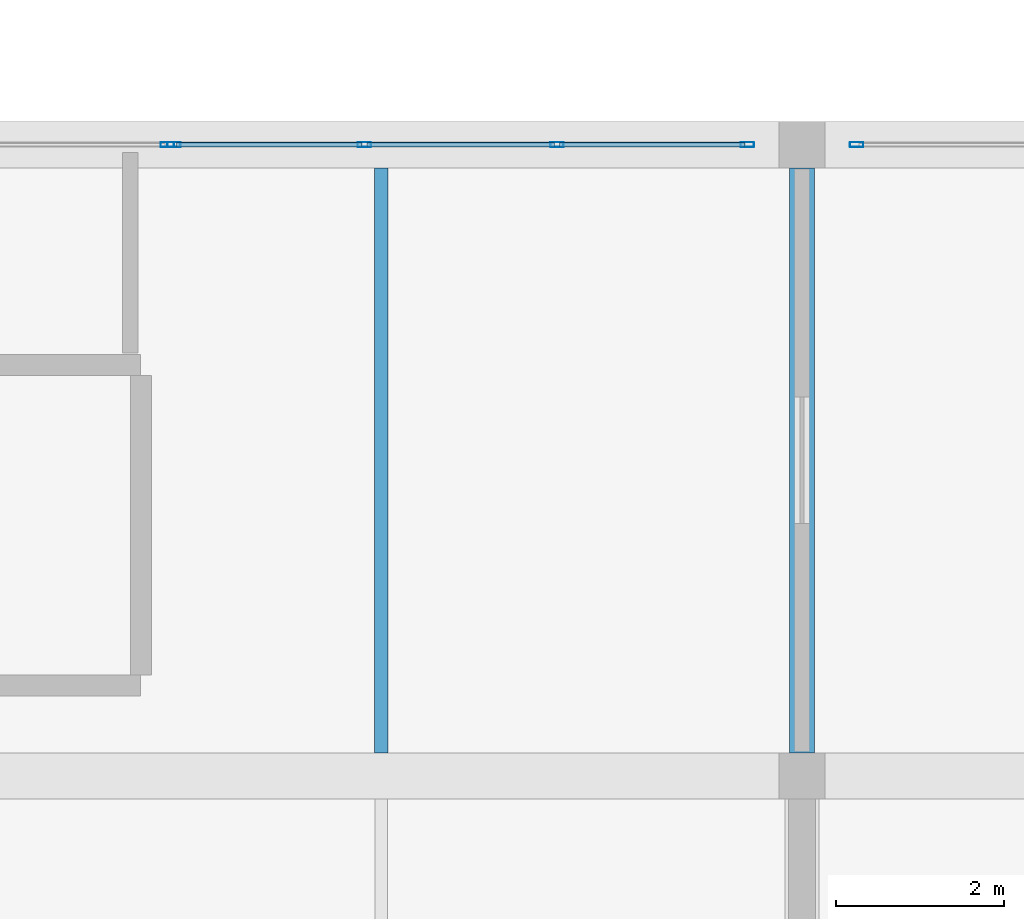
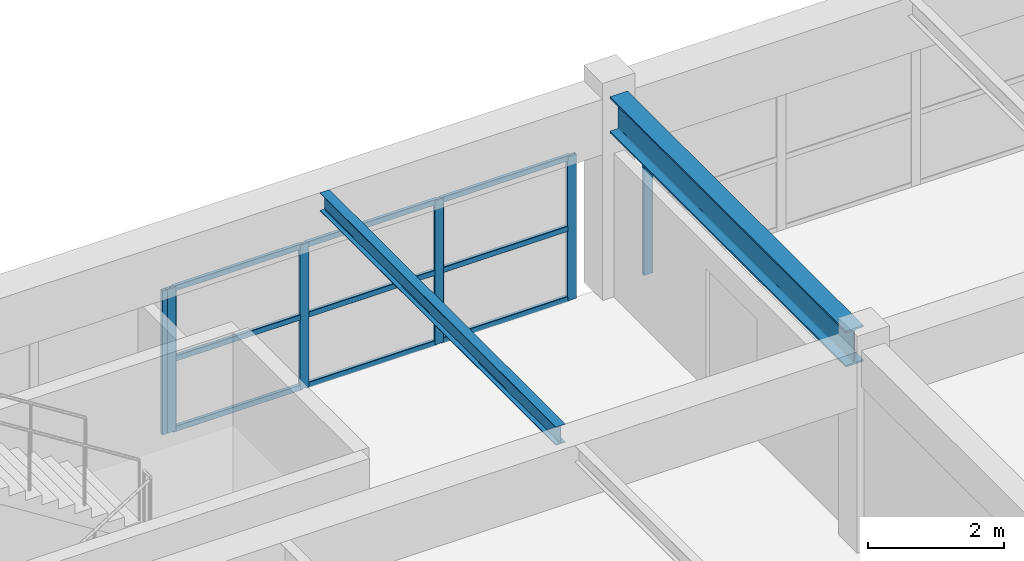
# One storey, part 26 of 101: 15 members, 2 beams, 3 elements without a shape of their own.
"""IFC4 building model written with IfcOpenShell, lengths in metres."""

from ifc_helpers import new_model, si_unit, direction, frame, origin, origin_2d, place, context, subcontext, project, spatial, hollow_rectangle, i_section, extrude, material, material_profile, profile_set, type_object, element, aggregate, save


model = new_model("IFC4")

# Units and contexts
model_context = context("Model", 3, precision=1e-05, world=origin(), true_north=direction((0.0, 1.0)))
body_context = subcontext(model_context, "Body", "Model", "MODEL_VIEW")
ifc_project = project(units=[si_unit("LENGTHUNIT", "METRE"), si_unit("AREAUNIT", "SQUARE_METRE"), si_unit("VOLUMEUNIT", "CUBIC_METRE"), si_unit("PLANEANGLEUNIT", "RADIAN"), si_unit("MASSUNIT", "GRAM", prefix="KILO")], contexts=[model_context])

# Site, building, storey
site_placement = place(None, origin())
site = spatial("IfcSite", under=ifc_project, at=site_placement, CompositionType="ELEMENT")
building_placement = place(site_placement, origin())
building = spatial("IfcBuilding", under=site, at=building_placement, Name="Qasida Concert Hall", CompositionType="ELEMENT")
storey_placement = place(building_placement, frame((0.0, 0.0, 13.199951171875)))
storey = spatial("IfcBuildingStorey", under=building, at=storey_placement, Name="L03", CompositionType="ELEMENT", Elevation=13.199951171875)

# Beams
ifc_material_1 = material(Name="Steel S355J2", Category="steel")
ifc_material_profile_1 = material_profile(ifc_material_1, i_section(OverallWidth=0.300048828125, OverallDepth=0.64990234375, WebThickness=0.01611328125, FlangeThickness=0.031005859375, FilletRadius=0.027099609375, at=origin_2d()), Name="HEB 650")
ifc_profile_set_1 = profile_set([ifc_material_profile_1], Name="Steel S355J2")
beam_type_1 = type_object("IfcBeamType", Name="BM-B13", PredefinedType="BEAM", material=ifc_profile_set_1)
beam_1_placement = place(storey_placement, frame((15.0, 45.27490234375, 3.295166015625), z_axis=(0.0, 1.0, 0.0), x_axis=(-1.0, 0.0, 0.0)))
element("IfcBeam", 1, at=beam_1_placement, inside=storey, type_object=beam_type_1, Name="L03 girder 1625", PredefinedType="BEAM", context=body_context, shape_type="SweptSolid", body=[
    extrude(i_section(OverallWidth=0.300048828125, OverallDepth=0.64990234375, WebThickness=0.01611328125, FlangeThickness=0.031005859375, FilletRadius=0.027099609375, at=origin_2d()), origin(), (0.0, 0.0, 1.0), 6.9501953125),
])
ifc_material_profile_2 = material_profile(ifc_material_1, i_section(OverallWidth=0.159912109375, OverallDepth=0.330078125, WebThickness=0.007568359375, FlangeThickness=0.011474609375, FilletRadius=0.01806640625, at=origin_2d()), Name="IPE 330")
ifc_profile_set_2 = profile_set([ifc_material_profile_2], Name="Steel S355J2")
beam_type_2 = type_object("IfcBeamType", Name="BM-J5", PredefinedType="JOIST", material=ifc_profile_set_2)
beam_2_placement = place(storey_placement, frame((10.0, 45.27490234375, 3.455078125), z_axis=(0.0, 1.0, 0.0), x_axis=(-1.0, 0.0, 0.0)))
element("IfcBeam", 2, at=beam_2_placement, inside=storey, type_object=beam_type_2, Name="L03 secondary joist 1643", PredefinedType="JOIST", context=body_context, shape_type="SweptSolid", body=[
    extrude(i_section(OverallWidth=0.159912109375, OverallDepth=0.330078125, WebThickness=0.007568359375, FlangeThickness=0.011474609375, FilletRadius=0.01806640625, at=origin_2d()), origin(), (0.0, 0.0, 1.0), 6.9501953125),
])

# Curtain wall, member
ifc_material_2 = material(Name="Architectural bronze-anodized aluminium and low-E glass", Category="aluminium")
curtain_wall_type = type_object("IfcCurtainWallType", Name="CW-09", PredefinedType="NOTDEFINED", material=ifc_material_2)
curtain_wall_1_placement = place(storey_placement, origin())
curtain_wall_1 = element("IfcCurtainWall", 3, at=curtain_wall_1_placement, inside=storey, type_object=curtain_wall_type, Name="L03 curtain wall CW-09 0118", PredefinedType="NOTDEFINED")
ifc_material_3 = material(Name="Architectural bronze-anodized aluminium EN AW-6063", Category="aluminium")
ifc_material_profile_3 = material_profile(ifc_material_3, hollow_rectangle(XDim=0.06005859375, YDim=0.159912109375, WallThickness=0.00390625, InnerFilletRadius=0.00390625, OuterFilletRadius=0.008056640625, at=origin_2d()), Name="CWM 160x60x4")
ifc_profile_set_3 = profile_set([ifc_material_profile_3], Name="Architectural bronze-anodized aluminium EN AW-6063")
member_type_1 = type_object("IfcMemberType", Name="MB-CWM-3", PredefinedType="MULLION", material=ifc_profile_set_3)
member_1_placement = place(storey_placement, frame((7.4599609375, 52.5, 0.0), z_axis=(0.0, 0.0, 1.0), x_axis=(0.0, 1.0, 0.0)))
member_1 = element("IfcMember", 4, at=member_1_placement, type_object=member_type_1, Name="CW-09 mullion 4", PredefinedType="MULLION", context=body_context, shape_type="SweptSolid", body=[
    extrude(hollow_rectangle(XDim=0.06005859375, YDim=0.159912109375, WallThickness=0.00390625, InnerFilletRadius=0.00390625, OuterFilletRadius=0.008056640625, at=origin_2d()), origin(), (0.0, 0.0, 1.0), 2.590087890625),
])
aggregate(curtain_wall_1, [member_1])

# Curtain wall, members
curtain_wall_2_placement = place(storey_placement, origin())
curtain_wall_2 = element("IfcCurtainWall", 5, at=curtain_wall_2_placement, inside=storey, type_object=curtain_wall_type, Name="L03 curtain wall CW-09 0119", PredefinedType="NOTDEFINED")
member_2_placement = place(storey_placement, frame((7.5400390625, 52.5, 0.0), z_axis=(0.0, 0.0, 1.0), x_axis=(0.0, 1.0, 0.0)))
member_2 = element("IfcMember", 6, at=member_2_placement, type_object=member_type_1, Name="CW-09 mullion 1", PredefinedType="MULLION", context=body_context, shape_type="SweptSolid", body=[
    extrude(hollow_rectangle(XDim=0.06005859375, YDim=0.159912109375, WallThickness=0.00390625, InnerFilletRadius=0.00390625, OuterFilletRadius=0.008056640625, at=origin_2d()), origin(), (0.0, 0.0, 1.0), 2.590087890625),
])
member_3_placement = place(storey_placement, frame((9.800048828125, 52.5, 0.0), z_axis=(0.0, 0.0, 1.0), x_axis=(0.0, 1.0, 0.0)))
member_3 = element("IfcMember", 7, at=member_3_placement, type_object=member_type_1, Name="CW-09 mullion 2", PredefinedType="MULLION", context=body_context, shape_type="SweptSolid", body=[
    extrude(hollow_rectangle(XDim=0.06005859375, YDim=0.159912109375, WallThickness=0.00390625, InnerFilletRadius=0.00390625, OuterFilletRadius=0.008056640625, at=origin_2d()), origin(), (0.0, 0.0, 1.0), 2.590087890625),
])
member_4_placement = place(storey_placement, frame((12.090087890625, 52.5, 0.0), z_axis=(0.0, 0.0, 1.0), x_axis=(0.0, 1.0, 0.0)))
member_4 = element("IfcMember", 8, at=member_4_placement, type_object=member_type_1, Name="CW-09 mullion 3", PredefinedType="MULLION", context=body_context, shape_type="SweptSolid", body=[
    extrude(hollow_rectangle(XDim=0.06005859375, YDim=0.159912109375, WallThickness=0.00390625, InnerFilletRadius=0.00390625, OuterFilletRadius=0.008056640625, at=origin_2d()), origin(), (0.0, 0.0, 1.0), 2.590087890625),
])
member_5_placement = place(storey_placement, frame((14.35009765625, 52.5, 0.0), z_axis=(0.0, 0.0, 1.0), x_axis=(0.0, 1.0, 0.0)))
member_5 = element("IfcMember", 9, at=member_5_placement, type_object=member_type_1, Name="CW-09 mullion 4", PredefinedType="MULLION", context=body_context, shape_type="SweptSolid", body=[
    extrude(hollow_rectangle(XDim=0.06005859375, YDim=0.159912109375, WallThickness=0.00390625, InnerFilletRadius=0.00390625, OuterFilletRadius=0.008056640625, at=origin_2d()), origin(), (0.0, 0.0, 1.0), 2.590087890625),
])

# Curtain wall, member
curtain_wall_3_placement = place(storey_placement, origin())
curtain_wall_3 = element("IfcCurtainWall", 10, at=curtain_wall_3_placement, inside=storey, type_object=curtain_wall_type, Name="L03 curtain wall CW-09 0121", PredefinedType="NOTDEFINED")
member_6_placement = place(storey_placement, frame((15.64990234375, 52.5, 0.0), z_axis=(0.0, 0.0, 1.0), x_axis=(0.0, 1.0, 0.0)))
member_6 = element("IfcMember", 11, at=member_6_placement, type_object=member_type_1, Name="CW-09 mullion 1", PredefinedType="MULLION", context=body_context, shape_type="SweptSolid", body=[
    extrude(hollow_rectangle(XDim=0.06005859375, YDim=0.159912109375, WallThickness=0.00390625, InnerFilletRadius=0.00390625, OuterFilletRadius=0.008056640625, at=origin_2d()), origin(), (0.0, 0.0, 1.0), 2.590087890625),
])
aggregate(curtain_wall_3, [member_6])

# Member
ifc_material_profile_4 = material_profile(ifc_material_3, hollow_rectangle(XDim=0.06005859375, YDim=0.10009765625, WallThickness=0.00341796875, InnerFilletRadius=0.00341796875, OuterFilletRadius=0.007080078125, at=origin_2d()), Name="CWT 100x60x3.5")
ifc_profile_set_4 = profile_set([ifc_material_profile_4], Name="Architectural bronze-anodized aluminium EN AW-6063")
member_type_2 = type_object("IfcMemberType", Name="MB-CWT-3", PredefinedType="USERDEFINED", material=ifc_profile_set_4)
member_7_placement = place(storey_placement, frame((7.570068359375, 52.5, 0.030029296875), z_axis=(1.0, 0.0, 0.0), x_axis=(0.0, 1.0, 0.0)))
member_7 = element("IfcMember", 12, at=member_7_placement, type_object=member_type_2, Name="CW-09 transom 1.1", ObjectType="TRANSOM", PredefinedType="USERDEFINED", context=body_context, shape_type="SweptSolid", body=[
    extrude(hollow_rectangle(XDim=0.06005859375, YDim=0.10009765625, WallThickness=0.00341796875, InnerFilletRadius=0.00341796875, OuterFilletRadius=0.007080078125, at=origin_2d()), origin(), (0.0, 0.0, 1.0), 2.199951171875),
])

member_8_placement = place(storey_placement, frame((7.570068359375, 52.5, 1.295166015625), z_axis=(1.0, 0.0, 0.0), x_axis=(0.0, 1.0, 0.0)))
member_8 = element("IfcMember", 13, at=member_8_placement, type_object=member_type_2, Name="CW-09 transom 1.2", ObjectType="TRANSOM", PredefinedType="USERDEFINED", context=body_context, shape_type="SweptSolid", body=[
    extrude(hollow_rectangle(XDim=0.06005859375, YDim=0.10009765625, WallThickness=0.00341796875, InnerFilletRadius=0.00341796875, OuterFilletRadius=0.007080078125, at=origin_2d()), origin(), (0.0, 0.0, 1.0), 2.199951171875),
])

member_9_placement = place(storey_placement, frame((7.570068359375, 52.5, 2.56005859375), z_axis=(1.0, 0.0, 0.0), x_axis=(0.0, 1.0, 0.0)))
member_9 = element("IfcMember", 14, at=member_9_placement, type_object=member_type_2, Name="CW-09 transom 1.3", ObjectType="TRANSOM", PredefinedType="USERDEFINED", context=body_context, shape_type="SweptSolid", body=[
    extrude(hollow_rectangle(XDim=0.06005859375, YDim=0.10009765625, WallThickness=0.00341796875, InnerFilletRadius=0.00341796875, OuterFilletRadius=0.007080078125, at=origin_2d()), origin(), (0.0, 0.0, 1.0), 2.199951171875),
])

member_10_placement = place(storey_placement, frame((9.830078125, 52.5, 0.030029296875), z_axis=(1.0, 0.0, 0.0), x_axis=(0.0, 1.0, 0.0)))
member_10 = element("IfcMember", 15, at=member_10_placement, type_object=member_type_2, Name="CW-09 transom 2.1", ObjectType="TRANSOM", PredefinedType="USERDEFINED", context=body_context, shape_type="SweptSolid", body=[
    extrude(hollow_rectangle(XDim=0.06005859375, YDim=0.10009765625, WallThickness=0.00341796875, InnerFilletRadius=0.00341796875, OuterFilletRadius=0.007080078125, at=origin_2d()), origin(), (0.0, 0.0, 1.0), 2.22998046875),
])

member_11_placement = place(storey_placement, frame((9.830078125, 52.5, 1.295166015625), z_axis=(1.0, 0.0, 0.0), x_axis=(0.0, 1.0, 0.0)))
member_11 = element("IfcMember", 16, at=member_11_placement, type_object=member_type_2, Name="CW-09 transom 2.2", ObjectType="TRANSOM", PredefinedType="USERDEFINED", context=body_context, shape_type="SweptSolid", body=[
    extrude(hollow_rectangle(XDim=0.06005859375, YDim=0.10009765625, WallThickness=0.00341796875, InnerFilletRadius=0.00341796875, OuterFilletRadius=0.007080078125, at=origin_2d()), origin(), (0.0, 0.0, 1.0), 2.22998046875),
])

member_12_placement = place(storey_placement, frame((9.830078125, 52.5, 2.56005859375), z_axis=(1.0, 0.0, 0.0), x_axis=(0.0, 1.0, 0.0)))
member_12 = element("IfcMember", 17, at=member_12_placement, type_object=member_type_2, Name="CW-09 transom 2.3", ObjectType="TRANSOM", PredefinedType="USERDEFINED", context=body_context, shape_type="SweptSolid", body=[
    extrude(hollow_rectangle(XDim=0.06005859375, YDim=0.10009765625, WallThickness=0.00341796875, InnerFilletRadius=0.00341796875, OuterFilletRadius=0.007080078125, at=origin_2d()), origin(), (0.0, 0.0, 1.0), 2.22998046875),
])

member_13_placement = place(storey_placement, frame((12.1201171875, 52.5, 0.030029296875), z_axis=(1.0, 0.0, 0.0), x_axis=(0.0, 1.0, 0.0)))
member_13 = element("IfcMember", 18, at=member_13_placement, type_object=member_type_2, Name="CW-09 transom 3.1", ObjectType="TRANSOM", PredefinedType="USERDEFINED", context=body_context, shape_type="SweptSolid", body=[
    extrude(hollow_rectangle(XDim=0.06005859375, YDim=0.10009765625, WallThickness=0.00341796875, InnerFilletRadius=0.00341796875, OuterFilletRadius=0.007080078125, at=origin_2d()), origin(), (0.0, 0.0, 1.0), 2.199951171875),
])

member_14_placement = place(storey_placement, frame((12.1201171875, 52.5, 1.295166015625), z_axis=(1.0, 0.0, 0.0), x_axis=(0.0, 1.0, 0.0)))
member_14 = element("IfcMember", 19, at=member_14_placement, type_object=member_type_2, Name="CW-09 transom 3.2", ObjectType="TRANSOM", PredefinedType="USERDEFINED", context=body_context, shape_type="SweptSolid", body=[
    extrude(hollow_rectangle(XDim=0.06005859375, YDim=0.10009765625, WallThickness=0.00341796875, InnerFilletRadius=0.00341796875, OuterFilletRadius=0.007080078125, at=origin_2d()), origin(), (0.0, 0.0, 1.0), 2.199951171875),
])

member_15_placement = place(storey_placement, frame((12.1201171875, 52.5, 2.56005859375), z_axis=(1.0, 0.0, 0.0), x_axis=(0.0, 1.0, 0.0)))
member_15 = element("IfcMember", 20, at=member_15_placement, type_object=member_type_2, Name="CW-09 transom 3.3", ObjectType="TRANSOM", PredefinedType="USERDEFINED", context=body_context, shape_type="SweptSolid", body=[
    extrude(hollow_rectangle(XDim=0.06005859375, YDim=0.10009765625, WallThickness=0.00341796875, InnerFilletRadius=0.00341796875, OuterFilletRadius=0.007080078125, at=origin_2d()), origin(), (0.0, 0.0, 1.0), 2.199951171875),
])

aggregate(curtain_wall_2, [member_2, member_3, member_4, member_5, member_7, member_8, member_9, member_10, member_11, member_12, member_13, member_14, member_15])

save(model, "model.ifc")
